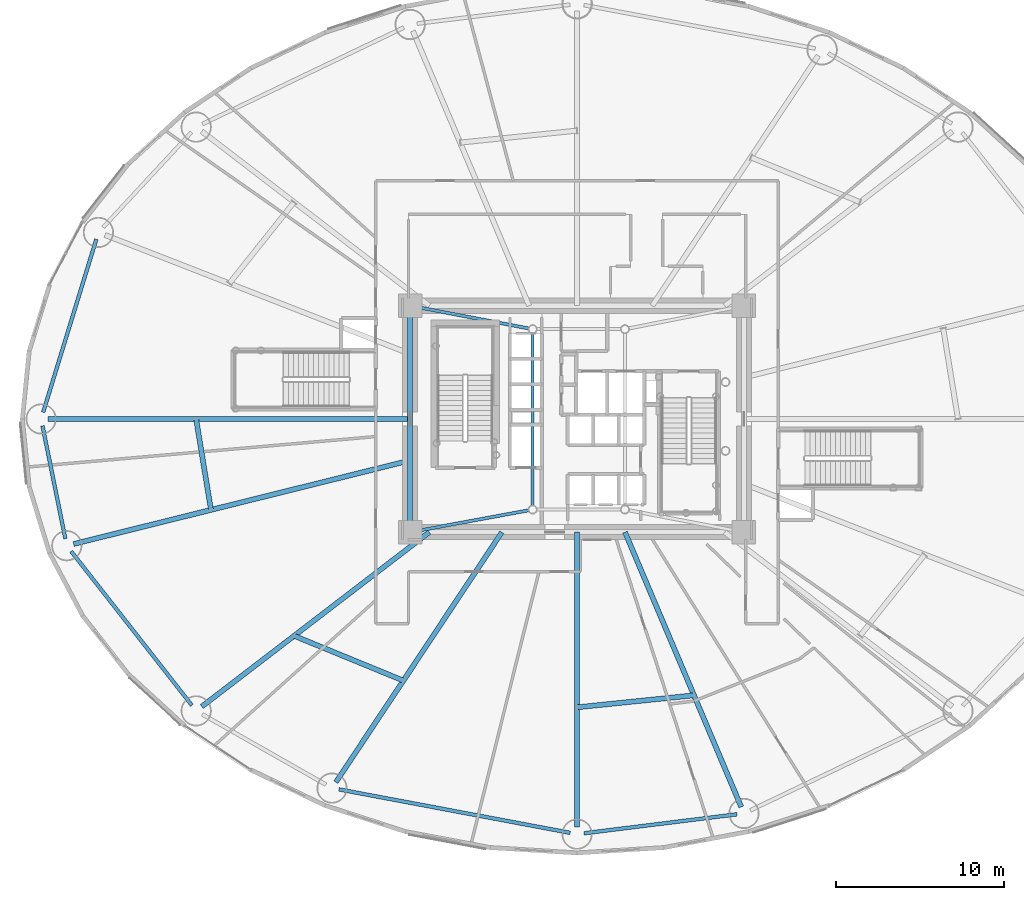
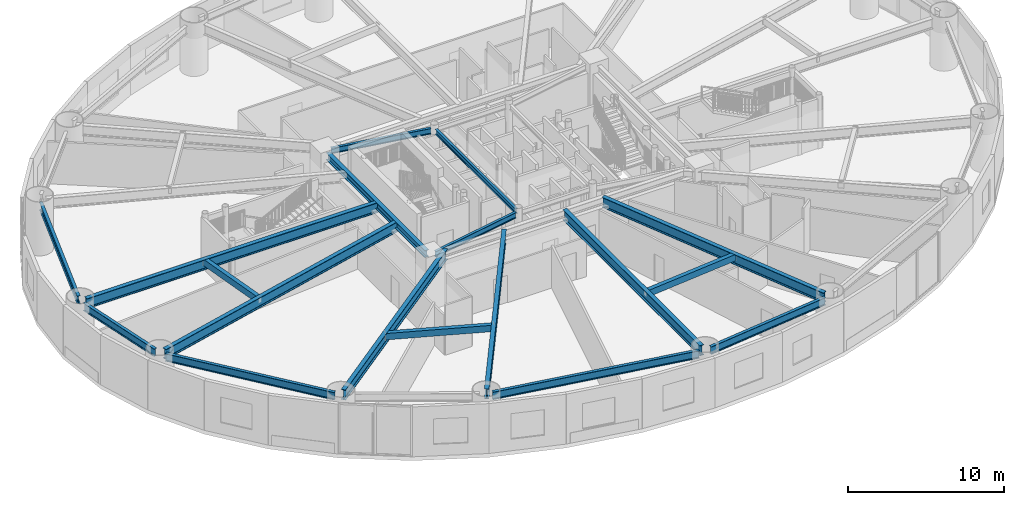
# One storey, part 5 of 31: 18 beams.
"""IFC4 building model written with IfcOpenShell, lengths in metres."""

import ifcopenshell
import ifcopenshell.guid

model = None  # the IFC model being written
_history = None  # IfcOwnerHistory: only IFC2X3 demands one
_inside = {}  # id of a spatial element -> (the spatial element, [elements in it])
_under = {}  # id of a project, library or spatial element -> (it, [spatial elements below it])
_declared = {}  # id of a project -> (the project, [libraries it declares])
_typed = {}  # id of a type object -> (the type object, [elements of that type])
_made_of = {}  # id of a material, layer set ... -> (it, [elements and type objects made of it])


def new_model(schema):
    """Start an empty IFC model of exactly this schema.

    Asked for "IFC4X3", IfcOpenShell would pick the latest addendum, in which some entities
    have other attributes; the version numbers below select the first issue.
    IFC2X3 requires an IfcOwnerHistory on every rooted entity: one is made here for all.
    """
    global model, _history
    if schema == "IFC4X3":
        model = ifcopenshell.file(schema_version=(4, 3, 0, 0))
    else:
        model = ifcopenshell.file(schema=schema)
    _inside.clear()
    _under.clear()
    _declared.clear()
    _typed.clear()
    _made_of.clear()
    _history = None
    if model.schema == "IFC2X3":
        org = make("IfcOrganization", Name="unknown")
        user = make(
            "IfcPersonAndOrganization",
            ThePerson=make("IfcPerson", FamilyName="unknown"),
            TheOrganization=org,
        )
        app = make(
            "IfcApplication",
            ApplicationDeveloper=org,
            Version="unknown",
            ApplicationFullName="unknown",
            ApplicationIdentifier="unknown",
        )
        _history = make(
            "IfcOwnerHistory",
            OwningUser=user,
            OwningApplication=app,
            ChangeAction="ADDED",
            CreationDate=0,
        )
    return model


def make(cls, **values):
    """One entity of the class cls with the attributes given. An attribute that is None is left unset."""
    return model.create_entity(
        cls, **{name: value for name, value in values.items() if value is not None}
    )


def rooted(cls, **values):
    """An entity with a GlobalId (a new one), such as an element, a storey or a relation."""
    return make(cls, GlobalId=ifcopenshell.guid.new(), OwnerHistory=_history, **values)


def si_unit(unit_type, name, prefix=None):
    """IfcSIUnit, for example si_unit("LENGTHUNIT", "METRE", prefix="MILLI")."""
    return make("IfcSIUnit", UnitType=unit_type, Prefix=prefix, Name=name)


def assignment(units):
    """IfcUnitAssignment: the units of a project."""
    return None if units is None else make("IfcUnitAssignment", Units=units)


def point(xyz):
    """IfcCartesianPoint."""
    return None if xyz is None else make("IfcCartesianPoint", Coordinates=xyz)


def direction(xyz):
    """IfcDirection."""
    return None if xyz is None else make("IfcDirection", DirectionRatios=xyz)


def frame(location, z_axis=None, x_axis=None):
    """IfcAxis2Placement3D, a coordinate frame: its origin and axes. An axis left out is left unset."""
    return make(
        "IfcAxis2Placement3D",
        Location=point(location),
        Axis=direction(z_axis),
        RefDirection=direction(x_axis),
    )


def frame_2d(location, x_axis=None):
    """IfcAxis2Placement2D, a coordinate frame in the plane: its origin and x axis."""
    return make(
        "IfcAxis2Placement2D", Location=point(location), RefDirection=direction(x_axis)
    )


def origin():
    """The frame at (0, 0, 0) with its axes left unset."""
    return frame((0.0, 0.0, 0.0))


def origin_2d():
    """The frame at (0, 0) in the plane with its x axis left unset."""
    return frame_2d((0.0, 0.0))


def place(relative_to, where):
    """IfcLocalPlacement: puts the frame where relative to a parent placement (None: the world)."""
    return make(
        "IfcLocalPlacement", PlacementRelTo=relative_to, RelativePlacement=where
    )


def context(
    kind, dimensions, precision=None, world=None, true_north=None, identifier=None
):
    """IfcGeometricRepresentationContext, for example the 3D "Model" context."""
    return make(
        "IfcGeometricRepresentationContext",
        ContextIdentifier=identifier,
        ContextType=kind,
        CoordinateSpaceDimension=dimensions,
        Precision=precision,
        WorldCoordinateSystem=world,
        TrueNorth=true_north,
    )


def subcontext(parent, identifier, kind, view, scale=None):
    """IfcGeometricRepresentationSubContext, for example "Body" below "Model"."""
    return make(
        "IfcGeometricRepresentationSubContext",
        ContextIdentifier=identifier,
        ContextType=kind,
        ParentContext=parent,
        TargetScale=scale,
        TargetView=view,
    )


def project(units=None, contexts=None):
    """IfcProject with its units and contexts."""
    return rooted(
        "IfcProject",
        Name="project",
        RepresentationContexts=contexts,
        UnitsInContext=assignment(units),
    )


def spatial(cls, under=None, at=None, **own):
    """A site, building, storey or space (cls), placed at a placement, below another one or the project."""
    s = rooted(cls, ObjectPlacement=at, **own)
    if under is not None:
        _under.setdefault(under.id(), (under, []))[1].append(s)
    return s


def profile(cls, at=None, kind="AREA", **sizes):
    """A parametric profile (cls). Its sizes go by their IFC names, for example OverallWidth=200.0."""
    return make(cls, ProfileType=kind, Position=at, **sizes)


def hollow_rectangle(**sizes):
    """IfcRectangleHollowProfileDef."""
    return profile("IfcRectangleHollowProfileDef", **sizes)


def i_section(**sizes):
    """IfcIShapeProfileDef."""
    return profile("IfcIShapeProfileDef", **sizes)


def extrude(swept, where, along, depth):
    """IfcExtrudedAreaSolid: the profile swept, set in the frame where, extruded along a direction by depth."""
    return make(
        "IfcExtrudedAreaSolid",
        SweptArea=swept,
        Position=where,
        ExtrudedDirection=direction(along),
        Depth=depth,
    )


def shape(context_of_items, identifier, shape_type, items):
    """IfcShapeRepresentation: the items that make up one representation, for example the "Body"."""
    return make(
        "IfcShapeRepresentation",
        ContextOfItems=context_of_items,
        RepresentationIdentifier=identifier,
        RepresentationType=shape_type,
        Items=items,
    )


def material(Name=None, Category=None):
    """IfcMaterial."""
    return make("IfcMaterial", Name=Name, Category=Category)


def material_profile(
    of_material, cross_section, Name=None, Category=None, Priority=None
):
    """IfcMaterialProfile: a cross section and its material."""
    return make(
        "IfcMaterialProfile",
        Name=Name,
        Material=of_material,
        Profile=cross_section,
        Priority=Priority,
        Category=Category,
    )


def profile_set(profiles, Name=None, composite=None):
    """IfcMaterialProfileSet."""
    return make(
        "IfcMaterialProfileSet",
        Name=Name,
        MaterialProfiles=profiles,
        CompositeProfile=composite,
    )


def made_of(thing, what):
    """Note that an element or type object is made of a material, layer set ...; save() writes the relation."""
    if what is not None:
        _made_of.setdefault(what.id(), (what, []))[1].append(thing)
    return thing


def type_object(cls, material=None, **own):
    """A type object (cls), such as IfcWallType, which elements share."""
    return made_of(rooted(cls, **own), material)


def element(
    cls,
    number,
    at=None,
    inside=None,
    cuts=None,
    type_object=None,
    material=None,
    context=None,
    identifier="Body",
    shape_type=None,
    held_by="IfcProductDefinitionShape",
    body=None,
    shapes=None,
    **own,
):
    """One element of the class cls, such as IfcWall. Its Tag is "e" and its number.

    at: its placement. inside: the storey or other place that contains it. cuts: it is an
    opening in that element (IfcRelVoidsElement). A single representation is given by context,
    identifier, shape_type and body (its items); several are given by shapes. held_by: the class
    of the entity that holds the representations. save() writes the other relations.
    """
    e = rooted(cls, Tag="e%d" % number, ObjectPlacement=at, **own)
    if body is not None:
        shapes = [shape(context, identifier, shape_type, body)]
    if shapes is not None:
        e.Representation = make(held_by, Representations=shapes)
    if inside is not None:
        _inside.setdefault(inside.id(), (inside, []))[1].append(e)
    if cuts is not None:
        rooted(
            "IfcRelVoidsElement", RelatingBuildingElement=cuts, RelatedOpeningElement=e
        )
    if type_object is not None:
        _typed.setdefault(type_object.id(), (type_object, []))[1].append(e)
    return made_of(e, material)


def aggregate(whole, parts):
    """IfcRelAggregates: a whole, such as a stair, and the parts it consists of."""
    return rooted("IfcRelAggregates", RelatingObject=whole, RelatedObjects=parts)


def save(model, path):
    """Write the relations noted so far, then the file.

    IfcRelAggregates (storeys below a building ...), IfcRelContainedInSpatialStructure (elements
    in a storey), IfcRelDefinesByType, IfcRelAssociatesMaterial and IfcRelDeclares: one each for
    every whole, place, type object, material and project.
    """
    for whole, parts in _under.values():
        aggregate(whole, parts)
    for where, things in _inside.values():
        rooted(
            "IfcRelContainedInSpatialStructure",
            RelatedElements=things,
            RelatingStructure=where,
        )
    for kind, things in _typed.values():
        rooted("IfcRelDefinesByType", RelatedObjects=things, RelatingType=kind)
    for what, things in _made_of.values():
        rooted("IfcRelAssociatesMaterial", RelatedObjects=things, RelatingMaterial=what)
    for by, libraries in _declared.values():
        rooted("IfcRelDeclares", RelatingContext=by, RelatedDefinitions=libraries)
    model.write(path)


model = new_model("IFC4")

# Units and contexts
model_context = context("Model", 3, precision=1e-05, world=origin(), true_north=direction((0.0, 1.0)))
body_context = subcontext(model_context, "Body", "Model", "MODEL_VIEW")
ifc_project = project(units=[si_unit("LENGTHUNIT", "METRE"), si_unit("AREAUNIT", "SQUARE_METRE"), si_unit("VOLUMEUNIT", "CUBIC_METRE"), si_unit("PLANEANGLEUNIT", "RADIAN"), si_unit("MASSUNIT", "GRAM", prefix="KILO")], contexts=[model_context])

# Site, building, storey
site_placement = place(None, origin())
site = spatial("IfcSite", under=ifc_project, at=site_placement, CompositionType="ELEMENT")
building_placement = place(site_placement, origin())
building = spatial("IfcBuilding", under=site, at=building_placement, Name="Linh Dai School and Residence Tower", CompositionType="ELEMENT")
storey_placement = place(building_placement, frame((0.0, 0.0, 6.0)))
storey = spatial("IfcBuildingStorey", under=building, at=storey_placement, Name="L01", CompositionType="ELEMENT", Elevation=6.0)

# Beams
ifc_material = material(Name="Structural Steel S355JR", Category="steel")
ifc_material_profile_1 = material_profile(ifc_material, hollow_rectangle(XDim=0.300048828125, YDim=0.5, WallThickness=0.01611328125, at=origin_2d()), Name="RHS 500x300x16")
ifc_profile_set_1 = profile_set([ifc_material_profile_1], Name="Structural Steel S355JR")
beam_type_1 = type_object("IfcBeamType", Name="BM-BX5", PredefinedType="BEAM", material=ifc_profile_set_1)
beam_1_placement = place(storey_placement, frame((13.290771484375, 26.9951171875, 3.64990234375), z_axis=(0.161524054525, -0.986868775375, 0.0), x_axis=(0.986868775375, 0.161524054525, 0.0)))
element("IfcBeam", 1, at=beam_1_placement, inside=storey, type_object=beam_type_1, Name="L01 Secondary Circumferential Floor Beam 05", PredefinedType="BEAM", context=body_context, shape_type="SweptSolid", body=[
    extrude(hollow_rectangle(XDim=0.300048828125, YDim=0.5, WallThickness=0.01611328125, at=origin_2d()), origin(), (0.0, 0.0, 1.0), 5.482177734375),
])
beam_2_placement = place(storey_placement, frame((19.13623046875, 14.07080078125, 3.64990234375), z_axis=(0.925227399646, -0.3794130453, 0.0), x_axis=(0.3794130453, 0.925227399646, 0.0)))
element("IfcBeam", 2, at=beam_2_placement, inside=storey, type_object=beam_type_1, Name="L01 Secondary Circumferential Floor Beam 06", PredefinedType="BEAM", context=body_context, shape_type="SweptSolid", body=[
    extrude(hollow_rectangle(XDim=0.300048828125, YDim=0.5, WallThickness=0.01611328125, at=origin_2d()), origin(), (0.0, 0.0, 1.0), 7.029296875),
])
beam_3_placement = place(storey_placement, frame((36.0048828125, 9.810546875, 3.64990234375), z_axis=(0.994772627995, 0.102114732487, 0.0), x_axis=(-0.102114732487, 0.994772627995, 0.0)))
element("IfcBeam", 3, at=beam_3_placement, inside=storey, type_object=beam_type_1, Name="L01 Secondary Circumferential Floor Beam 07", PredefinedType="BEAM", context=body_context, shape_type="SweptSolid", body=[
    extrude(hollow_rectangle(XDim=0.300048828125, YDim=0.5, WallThickness=0.01611328125, at=origin_2d()), origin(), (0.0, 0.0, 1.0), 6.998046875),
])
ifc_material_profile_2 = material_profile(ifc_material, i_section(OverallWidth=0.219970703125, OverallDepth=0.60009765625, WebThickness=0.011962890625, FlangeThickness=0.01904296875, FilletRadius=0.02392578125, at=origin_2d()), Name="IPE 600")
ifc_profile_set_2 = profile_set([ifc_material_profile_2], Name="Structural Steel S355JR")
beam_type_2 = type_object("IfcBeamType", Name="BM-RB60", PredefinedType="BEAM", material=ifc_profile_set_2)
beam_4_placement = place(storey_placement, frame((7.343017578125, 37.720458984375, 3.60009765625), z_axis=(-0.293626522026, -0.955920219246, 0.0), x_axis=(0.955920219246, -0.293626522026, 0.0)))
element("IfcBeam", 4, at=beam_4_placement, inside=storey, type_object=beam_type_2, Name="L01 Perimeter Elliptical Ring Beam 08", PredefinedType="BEAM", context=body_context, shape_type="SweptSolid", body=[
    extrude(i_section(OverallWidth=0.219970703125, OverallDepth=0.60009765625, WebThickness=0.011962890625, FlangeThickness=0.01904296875, FilletRadius=0.02392578125, at=origin_2d()), origin(), (0.0, 0.0, 1.0), 10.794921875),
])
beam_5_placement = place(storey_placement, frame((4.13330078125, 26.58837890625, 3.60009765625), z_axis=(0.198405440792, -0.980120034008, 0.0), x_axis=(0.980120034008, 0.198405440792, 0.0)))
element("IfcBeam", 5, at=beam_5_placement, inside=storey, type_object=beam_type_2, Name="L01 Perimeter Elliptical Ring Beam 09", PredefinedType="BEAM", context=body_context, shape_type="SweptSolid", body=[
    extrude(i_section(OverallWidth=0.219970703125, OverallDepth=0.60009765625, WebThickness=0.011962890625, FlangeThickness=0.01904296875, FilletRadius=0.02392578125, at=origin_2d()), origin(), (0.0, 0.0, 1.0), 6.86865234375),
])
beam_6_placement = place(storey_placement, frame((5.838623046875, 19.114013671875, 3.60009765625), z_axis=(0.616811949607, -0.787110550572, 0.0), x_axis=(0.787110550572, 0.616811949607, 0.0)))
element("IfcBeam", 6, at=beam_6_placement, inside=storey, type_object=beam_type_2, Name="L01 Perimeter Elliptical Ring Beam 10", PredefinedType="BEAM", context=body_context, shape_type="SweptSolid", body=[
    extrude(i_section(OverallWidth=0.219970703125, OverallDepth=0.60009765625, WebThickness=0.011962890625, FlangeThickness=0.01904296875, FilletRadius=0.02392578125, at=origin_2d()), origin(), (0.0, 0.0, 1.0), 11.668212890625),
])
beam_7_placement = place(storey_placement, frame((21.803466796875, 4.917236328125, 3.60009765625), z_axis=(0.98280551354, -0.184643772045, 0.0), x_axis=(0.184643772045, 0.98280551354, 0.0)))
element("IfcBeam", 7, at=beam_7_placement, inside=storey, type_object=beam_type_2, Name="L01 Perimeter Elliptical Ring Beam 12", PredefinedType="BEAM", context=body_context, shape_type="SweptSolid", body=[
    extrude(i_section(OverallWidth=0.219970703125, OverallDepth=0.60009765625, WebThickness=0.011962890625, FlangeThickness=0.01904296875, FilletRadius=0.02392578125, at=origin_2d()), origin(), (0.0, 0.0, 1.0), 14.02490234375),
])
beam_8_placement = place(storey_placement, frame((36.416748046875, 2.3017578125, 3.60009765625), z_axis=(0.992402470446, 0.123033884169, 0.0), x_axis=(-0.123033884169, 0.992402470446, 0.0)))
element("IfcBeam", 8, at=beam_8_placement, inside=storey, type_object=beam_type_2, Name="L01 Perimeter Elliptical Ring Beam 13", PredefinedType="BEAM", context=body_context, shape_type="SweptSolid", body=[
    extrude(i_section(OverallWidth=0.219970703125, OverallDepth=0.60009765625, WebThickness=0.011962890625, FlangeThickness=0.01904296875, FilletRadius=0.02392578125, at=origin_2d()), origin(), (0.0, 0.0, 1.0), 9.1875),
])
ifc_material_profile_3 = material_profile(ifc_material, i_section(OverallWidth=0.300048828125, OverallDepth=0.550048828125, WebThickness=0.014892578125, FlangeThickness=0.029052734375, FilletRadius=0.027099609375, at=origin_2d()), Name="HEB 550")
ifc_profile_set_3 = profile_set([ifc_material_profile_3], Name="Structural Steel S355JR")
beam_type_3 = type_object("IfcBeamType", Name="BM-RG55", PredefinedType="BEAM", material=ifc_profile_set_3)
beam_9_placement = place(storey_placement, frame((26.050048828125, 33.330078125, 3.625), z_axis=(0.0, -1.0, 0.0), x_axis=(1.0, 0.0, 0.0)))
element("IfcBeam", 9, at=beam_9_placement, inside=storey, type_object=beam_type_3, Name="L01 Core Perimeter Coupling Girder 4", PredefinedType="BEAM", context=body_context, shape_type="SweptSolid", body=[
    extrude(i_section(OverallWidth=0.300048828125, OverallDepth=0.550048828125, WebThickness=0.014892578125, FlangeThickness=0.029052734375, FilletRadius=0.027099609375, at=origin_2d()), origin(), (0.0, 0.0, 1.0), 12.66015625),
])
ifc_material_profile_4 = material_profile(ifc_material, i_section(OverallWidth=0.300048828125, OverallDepth=0.800048828125, WebThickness=0.017578125, FlangeThickness=0.032958984375, FilletRadius=0.030029296875, at=origin_2d()), Name="HEB 800")
ifc_profile_set_4 = profile_set([ifc_material_profile_4], Name="Structural Steel S355JR")
beam_type_4 = type_object("IfcBeamType", Name="BM-RG8", PredefinedType="BEAM", material=ifc_profile_set_4)
beam_10_placement = place(storey_placement, frame((26.050048828125, 27.0, 3.5), z_axis=(-1.0, 0.0, 0.0), x_axis=(0.0, -1.0, 0.0)))
element("IfcBeam", 10, at=beam_10_placement, inside=storey, type_object=beam_type_4, Name="L01 Primary Radial Floor Girder 09", PredefinedType="BEAM", context=body_context, shape_type="SweptSolid", body=[
    extrude(i_section(OverallWidth=0.300048828125, OverallDepth=0.800048828125, WebThickness=0.017578125, FlangeThickness=0.032958984375, FilletRadius=0.030029296875, at=origin_2d()), origin(), (0.0, 0.0, 1.0), 21.580078125),
])
beam_11_placement = place(storey_placement, frame((26.050048828125, 24.52880859375, 3.5), z_axis=(-0.970515097282, -0.241040340913, 0.0), x_axis=(0.241040340913, -0.970515097282, 0.0)))
element("IfcBeam", 11, at=beam_11_placement, inside=storey, type_object=beam_type_4, Name="L01 Primary Radial Floor Girder 10", PredefinedType="BEAM", context=body_context, shape_type="SweptSolid", body=[
    extrude(i_section(OverallWidth=0.300048828125, OverallDepth=0.800048828125, WebThickness=0.017578125, FlangeThickness=0.032958984375, FilletRadius=0.030029296875, at=origin_2d()), origin(), (0.0, 0.0, 1.0), 20.672607421875),
])
beam_12_placement = place(storey_placement, frame((27.192138671875, 20.25, 3.5), z_axis=(-0.793713040757, -0.608292371259, 0.0), x_axis=(0.608292371259, -0.793713040757, 0.0)))
element("IfcBeam", 12, at=beam_12_placement, inside=storey, type_object=beam_type_4, Name="L01 Primary Radial Floor Girder 11", PredefinedType="BEAM", context=body_context, shape_type="SweptSolid", body=[
    extrude(i_section(OverallWidth=0.300048828125, OverallDepth=0.800048828125, WebThickness=0.017578125, FlangeThickness=0.032958984375, FilletRadius=0.030029296875, at=origin_2d()), origin(), (0.0, 0.0, 1.0), 17.08935546875),
])
beam_13_placement = place(storey_placement, frame((31.518798828125, 20.25, 3.5), z_axis=(-0.553108911901, -0.833108955404, 0.0), x_axis=(0.833108955404, -0.553108911901, 0.0)))
element("IfcBeam", 13, at=beam_13_placement, inside=storey, type_object=beam_type_4, Name="L01 Primary Radial Floor Girder 12", PredefinedType="BEAM", context=body_context, shape_type="SweptSolid", body=[
    extrude(i_section(OverallWidth=0.300048828125, OverallDepth=0.800048828125, WebThickness=0.017578125, FlangeThickness=0.032958984375, FilletRadius=0.030029296875, at=origin_2d()), origin(), (0.0, 0.0, 1.0), 17.89111328125),
])
beam_14_placement = place(storey_placement, frame((36.0, 20.25, 3.5), z_axis=(0.0, -1.0, 0.0), x_axis=(1.0, 0.0, 0.0)))
element("IfcBeam", 14, at=beam_14_placement, inside=storey, type_object=beam_type_4, Name="L01 Primary Radial Floor Girder 13", PredefinedType="BEAM", context=body_context, shape_type="SweptSolid", body=[
    extrude(i_section(OverallWidth=0.300048828125, OverallDepth=0.800048828125, WebThickness=0.017578125, FlangeThickness=0.032958984375, FilletRadius=0.030029296875, at=origin_2d()), origin(), (0.0, 0.0, 1.0), 17.580078125),
])
beam_15_placement = place(storey_placement, frame((38.8564453125, 20.25, 3.5), z_axis=(0.389695518128, -0.920943756779, 0.0), x_axis=(0.920943756779, 0.389695518128, 0.0)))
element("IfcBeam", 15, at=beam_15_placement, inside=storey, type_object=beam_type_4, Name="L01 Primary Radial Floor Girder 14", PredefinedType="BEAM", context=body_context, shape_type="SweptSolid", body=[
    extrude(i_section(OverallWidth=0.300048828125, OverallDepth=0.800048828125, WebThickness=0.017578125, FlangeThickness=0.032958984375, FilletRadius=0.030029296875, at=origin_2d()), origin(), (0.0, 0.0, 1.0), 17.785400390625),
])
ifc_material_profile_5 = material_profile(ifc_material, i_section(OverallWidth=0.179931640625, OverallDepth=0.39990234375, WebThickness=0.008544921875, FlangeThickness=0.013427734375, FilletRadius=0.02099609375, at=origin_2d()), Name="IPE 400")
ifc_profile_set_5 = profile_set([ifc_material_profile_5], Name="Structural Steel S355JR")
beam_type_5 = type_object("IfcBeamType", Name="BM-SB40", PredefinedType="BEAM", material=ifc_profile_set_5)
beam_16_placement = place(storey_placement, frame((33.35009765625, 32.1259765625, 3.699951171875), z_axis=(0.0, -1.0, 0.0), x_axis=(1.0, 0.0, 0.0)))
element("IfcBeam", 16, at=beam_16_placement, inside=storey, type_object=beam_type_5, Name="L01 Core Mast Pier Tie Beam 4", PredefinedType="BEAM", context=body_context, shape_type="SweptSolid", body=[
    extrude(i_section(OverallWidth=0.179931640625, OverallDepth=0.39990234375, WebThickness=0.008544921875, FlangeThickness=0.013427734375, FilletRadius=0.02099609375, at=origin_2d()), origin(), (0.0, 0.0, 1.0), 10.302001953125),
])
ifc_material_profile_6 = material_profile(ifc_material, i_section(OverallWidth=0.18994140625, OverallDepth=0.449951171875, WebThickness=0.009521484375, FlangeThickness=0.0146484375, FilletRadius=0.02099609375, at=origin_2d()), Name="IPE 450")
ifc_profile_set_6 = profile_set([ifc_material_profile_6], Name="Structural Steel S355JR")
beam_type_6 = type_object("IfcBeamType", Name="BM-SB45", PredefinedType="BEAM", material=ifc_profile_set_6)
beam_17_placement = place(storey_placement, frame((26.462890625, 20.326416015625, 3.675048828125), z_axis=(0.983326152819, 0.18185070025, 0.0), x_axis=(-0.18185070025, 0.983326152819, 0.0)))
element("IfcBeam", 17, at=beam_17_placement, inside=storey, type_object=beam_type_6, Name="L01 Core Corner-to-Mast Pier Beam 1", PredefinedType="BEAM", context=body_context, shape_type="SweptSolid", body=[
    extrude(i_section(OverallWidth=0.18994140625, OverallDepth=0.449951171875, WebThickness=0.009521484375, FlangeThickness=0.0146484375, FilletRadius=0.02099609375, at=origin_2d()), origin(), (0.0, 0.0, 1.0), 6.77978515625),
])
beam_18_placement = place(storey_placement, frame((26.46240234375, 33.6708984375, 3.675048828125), z_axis=(0.982100456787, -0.188357884832, 0.0), x_axis=(0.188357884832, 0.982100456787, 0.0)))
element("IfcBeam", 18, at=beam_18_placement, inside=storey, type_object=beam_type_6, Name="L01 Core Corner-to-Mast Pier Beam 4", PredefinedType="BEAM", context=body_context, shape_type="SweptSolid", body=[
    extrude(i_section(OverallWidth=0.18994140625, OverallDepth=0.449951171875, WebThickness=0.009521484375, FlangeThickness=0.0146484375, FilletRadius=0.02099609375, at=origin_2d()), origin(), (0.0, 0.0, 1.0), 6.789306640625),
])

save(model, "model.ifc")
